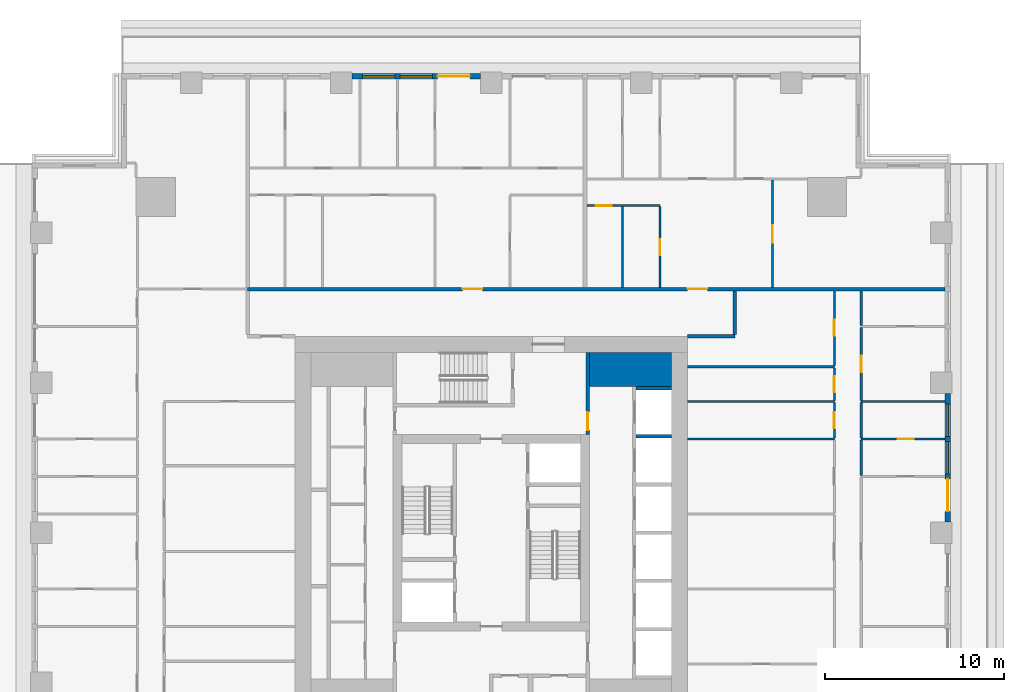
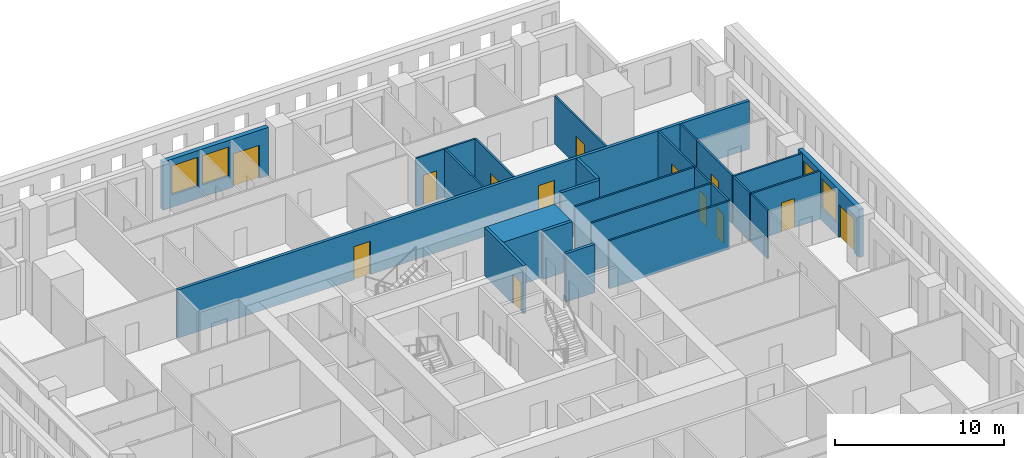
# One storey, part 9 of 16: 25 walls, 13 doors, 4 windows, 17 openings.
"""IFC4 building model written with IfcOpenShell, lengths in metres."""

from ifc_helpers import new_model, si_unit, direction, frame, frame_2d, origin, place, context, subcontext, project, spatial, rectangle, extrude, material, layer, layer_set, type_object, element, fill, save


model = new_model("IFC4")

# Units and contexts
model_context = context("Model", 3, precision=1e-05, world=origin(), true_north=direction((0.0, 1.0)))
body_context = subcontext(model_context, "Body", "Model", "MODEL_VIEW")
ifc_project = project(units=[si_unit("LENGTHUNIT", "METRE"), si_unit("AREAUNIT", "SQUARE_METRE"), si_unit("VOLUMEUNIT", "CUBIC_METRE"), si_unit("PLANEANGLEUNIT", "RADIAN"), si_unit("MASSUNIT", "GRAM", prefix="KILO")], contexts=[model_context])

# Site, building, storey
site_placement = place(None, origin())
site = spatial("IfcSite", under=ifc_project, at=site_placement, CompositionType="ELEMENT")
building_placement = place(site_placement, origin())
building = spatial("IfcBuilding", under=site, at=building_placement, Name="Khepri Terraces", CompositionType="ELEMENT")
storey_placement = place(building_placement, frame((0.0, 0.0, 240.60009765625)))
storey = spatial("IfcBuildingStorey", under=building, at=storey_placement, Name="L57", CompositionType="ELEMENT", Elevation=240.60009765625)

# Walls
ifc_material_1 = material(Name="Concrete C40/50", Category="concrete")
ifc_layer_1 = layer(ifc_material_1, 1.89990234375, Name="Concrete C40/50", Category="concrete")
ifc_layer_set_1 = layer_set([ifc_layer_1], Name="Concrete C40/50")
wall_type_1 = type_object("IfcWallType", Name="Core wall 1900 C40/50", PredefinedType="SHEAR", material=ifc_layer_set_1)
wall_1_placement = place(storey_placement, frame((5.5, 9.14990234375, 0.0), z_axis=(0.0, 0.0, 1.0), x_axis=(1.0, 0.0, 0.0)))
element("IfcWall", 1, at=wall_1_placement, inside=storey, type_object=wall_type_1, Name="Core wall PR04 L57", PredefinedType="SHEAR", context=body_context, shape_type="SweptSolid", body=[
    extrude(rectangle(XDim=4.60009765625, YDim=1.89990234375, at=frame_2d((2.300048828125, 0.0))), origin(), (0.0, 0.0, 1.0), 3.47998046875),
])
ifc_layer_2 = layer(ifc_material_1, 0.199951171875, Name="Concrete C40/50", Category="concrete")
ifc_layer_set_2 = layer_set([ifc_layer_2], Name="Concrete C40/50")
wall_type_2 = type_object("IfcWallType", Name="Core wall 200 C40/50", PredefinedType="SHEAR", material=ifc_layer_set_2)
for number, where, z_axis, x_axis, name in (
    (2, (8.10009765625, 5.39990234375, 0.0), (0.0, 0.0, 1.0), (1.0, 0.0, 0.0), "Core wall SH14 L57"),
    (3, (8.10009765625, 8.10009765625, 0.0), (0.0, 0.0, 1.0), (1.0, 0.0, 0.0), "Core wall SH15 L57"),
):
    element("IfcWall", number, at=place(storey_placement, frame(where, z_axis=z_axis, x_axis=x_axis)), inside=storey, type_object=wall_type_2, Name=name, PredefinedType="SHEAR", context=body_context, shape_type="SweptSolid", body=[
        extrude(rectangle(XDim=2.0, YDim=0.199951171875, at=frame_2d((1.0, 0.0))), origin(), (0.0, 0.0, 1.0), 3.47998046875),
    ])

# Wall, opening, door
ifc_material_2 = material(Name="Fire-rated gypsum board partition")
ifc_layer_3 = layer(ifc_material_2, 0.199951171875, Name="Fire-rated gypsum board partition")
ifc_layer_set_3 = layer_set([ifc_layer_3], Name="Fire-rated gypsum board partition")
wall_type_3 = type_object("IfcWallType", Name="WL-CORE-PART-200", PredefinedType="PARTITIONING", material=ifc_layer_set_3)
wall_2_placement = place(storey_placement, frame((5.39990234375, 5.5, 0.0), z_axis=(0.0, 0.0, 1.0), x_axis=(0.0, 1.0, 0.0)))
wall_2 = element("IfcWall", 4, at=wall_2_placement, inside=storey, type_object=wall_type_3, Name="Core partition PT13 L57", PredefinedType="PARTITIONING", context=body_context, shape_type="SweptSolid", body=[
    extrude(rectangle(XDim=4.60009765625, YDim=0.199951171875, at=frame_2d((2.300048828125, 0.0))), origin(), (0.0, 0.0, 1.0), 3.47998046875),
])
opening_1_placement = place(wall_2_placement, frame((0.25, 0.0, 0.0)))
opening_1 = element("IfcOpeningElement", 5, at=opening_1_placement, cuts=wall_2, Name="Opening L57-C17", PredefinedType="OPENING", context=body_context, shape_type="SweptSolid", body=[
    extrude(rectangle(XDim=1.0, YDim=2.10009765625, at=frame_2d((0.5, 1.050048828125))), frame((0.0, 0.10986328125, 0.0), z_axis=(0.0, -1.0, 0.0), x_axis=(1.0, 0.0, 0.0)), (0.0, 0.0, 1.0), 0.219970703125),
])
ifc_material_3 = material(Name="Painted steel", Category="steel")
door_type_1 = type_object("IfcDoorType", Name="DR-CORE-LOBBY-1000", OperationType="NOTDEFINED", PredefinedType="DOOR", material=ifc_material_3)
door_1_placement = place(opening_1_placement, origin())
door_1 = element("IfcDoor", 6, at=door_1_placement, inside=storey, type_object=door_type_1, Name="Lobby door L57-C17", OperationType="SINGLE_SWING_LEFT", OverallHeight=2.10009765625, OverallWidth=1.0, PredefinedType="DOOR", context=body_context, shape_type="SweptSolid", body=[
    extrude(rectangle(XDim=1.0, YDim=2.10009765625, at=frame_2d((0.5, 1.050048828125))), frame((0.0, 0.02490234375, 0.0), z_axis=(0.0, -1.0, 0.0), x_axis=(1.0, 0.0, 0.0)), (0.0, 0.0, 1.0), 0.050048828125),
])
fill(opening_1, door_1)

# Walls
ifc_material_4 = material(Name="Fire-rated gypsum plasterboard partition, mineral wool")
ifc_layer_4 = layer(ifc_material_4, 0.199951171875, Name="Fire-rated gypsum plasterboard partition, mineral wool")
ifc_layer_set_4 = layer_set([ifc_layer_4], Name="Fire-rated gypsum plasterboard partition, mineral wool")
wall_type_4 = type_object("IfcWallType", Name="WL-CORR-200", PredefinedType="PARTITIONING", material=ifc_layer_set_4)
wall_3_placement = place(storey_placement, frame((11.0, 11.0, 0.0), z_axis=(0.0, 0.0, 1.0), x_axis=(1.0, 0.0, 0.0)))
element("IfcWall", 7, at=wall_3_placement, inside=storey, type_object=wall_type_4, Name="Partition P-075 L57", PredefinedType="PARTITIONING", context=body_context, shape_type="SweptSolid", body=[
    extrude(rectangle(XDim=2.64990234375, YDim=0.199951171875, at=frame_2d((1.324951171875, 0.0))), origin(), (0.0, 0.0, 1.0), 3.47998046875),
])
wall_4_placement = place(storey_placement, frame((13.64990234375, 11.10009765625, 0.0), z_axis=(0.0, 0.0, 1.0), x_axis=(0.0, 1.0, 0.0)))
element("IfcWall", 8, at=wall_4_placement, inside=storey, type_object=wall_type_4, Name="Partition P-077 L57", PredefinedType="PARTITIONING", context=body_context, shape_type="SweptSolid", body=[
    extrude(rectangle(XDim=2.449951171875, YDim=0.199951171875, at=frame_2d((1.22509765625, 0.0))), origin(), (0.0, 0.0, 1.0), 3.47998046875),
])

# Wall, openings, doors
wall_5_placement = place(storey_placement, frame((-13.64990234375, 13.64990234375, 0.0), z_axis=(0.0, 0.0, 1.0), x_axis=(1.0, 0.0, 0.0)))
wall_5 = element("IfcWall", 9, at=wall_5_placement, inside=storey, type_object=wall_type_4, Name="Partition P-083 L57", PredefinedType="PARTITIONING", context=body_context, shape_type="SweptSolid", body=[
    extrude(rectangle(XDim=39.06982421875, YDim=0.199951171875, at=frame_2d((19.534912109375, 0.0))), origin(), (0.0, 0.0, 1.0), 3.47998046875),
])
opening_2_placement = place(wall_5_placement, frame((24.64990234375, 0.0, 0.0)))
opening_2 = element("IfcOpeningElement", 10, at=opening_2_placement, cuts=wall_5, Name="Opening D1", PredefinedType="OPENING", context=body_context, shape_type="SweptSolid", body=[
    extrude(rectangle(XDim=1.10009765625, YDim=2.39990234375, at=frame_2d((0.550048828125, 1.199951171875))), frame((0.0, 0.10986328125, 0.0), z_axis=(0.0, -1.0, 0.0), x_axis=(1.0, 0.0, 0.0)), (0.0, 0.0, 1.0), 0.219970703125),
])
opening_3_placement = place(wall_5_placement, frame((12.050048828125, 0.0, 0.0)))
opening_3 = element("IfcOpeningElement", 11, at=opening_3_placement, cuts=wall_5, Name="Opening D1", PredefinedType="OPENING", context=body_context, shape_type="SweptSolid", body=[
    extrude(rectangle(XDim=1.10009765625, YDim=2.39990234375, at=frame_2d((0.550048828125, 1.199951171875))), frame((0.0, 0.10986328125, 0.0), z_axis=(0.0, -1.0, 0.0), x_axis=(1.0, 0.0, 0.0)), (0.0, 0.0, 1.0), 0.219970703125),
])
ifc_material_5 = material(Name="Solid-core timber door leaf, flat entrance door", Category="wood")
door_type_2 = type_object("IfcDoorType", Name="DR-ENT-1100", OperationType="NOTDEFINED", PredefinedType="DOOR", material=ifc_material_5)
door_2_placement = place(opening_2_placement, origin())
door_2 = element("IfcDoor", 12, at=door_2_placement, inside=storey, type_object=door_type_2, Name="Flat C1 entrance door", OperationType="SINGLE_SWING_RIGHT", OverallHeight=2.39990234375, OverallWidth=1.10009765625, PredefinedType="DOOR", context=body_context, shape_type="SweptSolid", body=[
    extrude(rectangle(XDim=1.10009765625, YDim=2.39990234375, at=frame_2d((0.550048828125, 1.199951171875))), frame((0.0, 0.02490234375, 0.0), z_axis=(0.0, -1.0, 0.0), x_axis=(1.0, 0.0, 0.0)), (0.0, 0.0, 1.0), 0.050048828125),
])
fill(opening_2, door_2)
door_3_placement = place(opening_3_placement, origin())
door_3 = element("IfcDoor", 13, at=door_3_placement, inside=storey, type_object=door_type_2, Name="Flat C2 entrance door", OperationType="SINGLE_SWING_LEFT", OverallHeight=2.39990234375, OverallWidth=1.10009765625, PredefinedType="DOOR", context=body_context, shape_type="SweptSolid", body=[
    extrude(rectangle(XDim=1.10009765625, YDim=2.39990234375, at=frame_2d((0.550048828125, 1.199951171875))), frame((0.0, 0.02490234375, 0.0), z_axis=(0.0, -1.0, 0.0), x_axis=(1.0, 0.0, 0.0)), (0.0, 0.0, 1.0), 0.050048828125),
])
fill(opening_3, door_3)

# Wall, openings, door, windows
ifc_material_6 = material(Name="Precast concrete C50/60 warm stone", Category="masonry")
ifc_layer_5 = layer(ifc_material_6, 0.300048828125, Name="Precast concrete C50/60 warm stone", Category="masonry")
ifc_layer_set_5 = layer_set([ifc_layer_5], Name="Precast concrete C50/60 warm stone")
wall_type_5 = type_object("IfcWallType", Name="WL-EXT-PRECAST-300", PredefinedType="STANDARD", material=ifc_layer_set_5)
wall_6_placement = place(storey_placement, frame((25.570068359375, 0.60009765625, 0.0), z_axis=(0.0, 0.0, 1.0), x_axis=(0.0, 1.0, 0.0)))
wall_6 = element("IfcWall", 14, at=wall_6_placement, inside=storey, type_object=wall_type_5, Name="External wall L57 E", PredefinedType="STANDARD", context=body_context, shape_type="SweptSolid", body=[
    extrude(rectangle(XDim=7.199951171875, YDim=0.300048828125, at=frame_2d((3.60009765625, 0.0))), origin(), (0.0, 0.0, 1.0), 3.47998046875),
])
opening_4_placement = place(wall_6_placement, frame((0.60009765625, 0.0, 0.0)))
opening_4 = element("IfcOpeningElement", 15, at=opening_4_placement, cuts=wall_6, Name="Opening ED-L57-06", PredefinedType="OPENING", context=body_context, shape_type="SweptSolid", body=[
    extrude(rectangle(XDim=1.800048828125, YDim=2.39990234375, at=frame_2d((0.89990234375, 1.199951171875))), frame((0.0, 0.16015625, 0.0), z_axis=(0.0, -1.0, 0.0), x_axis=(1.0, 0.0, 0.0)), (0.0, 0.0, 1.0), 0.320068359375),
])
opening_5_placement = place(wall_6_placement, frame((2.699951171875, 0.0, 0.89990234375)))
opening_5 = element("IfcOpeningElement", 16, at=opening_5_placement, cuts=wall_6, Name="Opening W1", PredefinedType="OPENING", context=body_context, shape_type="SweptSolid", body=[
    extrude(rectangle(XDim=1.800048828125, YDim=2.10009765625, at=frame_2d((0.89990234375, 1.050048828125))), frame((0.0, 0.16015625, 0.0), z_axis=(0.0, -1.0, 0.0), x_axis=(1.0, 0.0, 0.0)), (0.0, 0.0, 1.0), 0.320068359375),
])
opening_6_placement = place(wall_6_placement, frame((4.800048828125, 0.0, 0.89990234375)))
opening_6 = element("IfcOpeningElement", 17, at=opening_6_placement, cuts=wall_6, Name="Opening W1", PredefinedType="OPENING", context=body_context, shape_type="SweptSolid", body=[
    extrude(rectangle(XDim=1.800048828125, YDim=2.10009765625, at=frame_2d((0.89990234375, 1.050048828125))), frame((0.0, 0.16015625, 0.0), z_axis=(0.0, -1.0, 0.0), x_axis=(1.0, 0.0, 0.0)), (0.0, 0.0, 1.0), 0.320068359375),
])
ifc_material_7 = material(Name="Anodised aluminium bronze glazed door", Category="aluminium")
door_type_3 = type_object("IfcDoorType", Name="DR-BAL-SLIDE-1800x2400", OperationType="NOTDEFINED", PredefinedType="DOOR", material=ifc_material_7)
door_4_placement = place(opening_4_placement, origin())
door_4 = element("IfcDoor", 18, at=door_4_placement, inside=storey, type_object=door_type_3, Name="Balcony door L57 E", OperationType="SLIDING_TO_LEFT", OverallHeight=2.39990234375, OverallWidth=1.800048828125, PredefinedType="DOOR", context=body_context, shape_type="SweptSolid", body=[
    extrude(rectangle(XDim=1.800048828125, YDim=2.39990234375, at=frame_2d((0.89990234375, 1.199951171875))), frame((0.0, 0.02490234375, 0.0), z_axis=(0.0, -1.0, 0.0), x_axis=(1.0, 0.0, 0.0)), (0.0, 0.0, 1.0), 0.050048828125),
])
fill(opening_4, door_4)
ifc_material_8 = material(Name="Clear glass", Category="glass")
window_type = type_object("IfcWindowType", Name="WIN-RES-1800x2100", PartitioningType="SINGLE_PANEL", PredefinedType="WINDOW", material=ifc_material_8)
window_1_placement = place(opening_5_placement, origin())
window_1 = element("IfcWindow", 19, at=window_1_placement, inside=storey, type_object=window_type, Name="Window L57 E", OverallHeight=2.10009765625, OverallWidth=1.800048828125, PartitioningType="SINGLE_PANEL", PredefinedType="WINDOW", context=body_context, shape_type="SweptSolid", body=[
    extrude(rectangle(XDim=1.800048828125, YDim=2.10009765625, at=frame_2d((0.89990234375, 1.050048828125))), frame((0.0, 0.030029296875, 0.0), z_axis=(0.0, -1.0, 0.0), x_axis=(1.0, 0.0, 0.0)), (0.0, 0.0, 1.0), 0.06005859375),
])
fill(opening_5, window_1)
window_2_placement = place(opening_6_placement, origin())
window_2 = element("IfcWindow", 20, at=window_2_placement, inside=storey, type_object=window_type, Name="Window L57 E", OverallHeight=2.10009765625, OverallWidth=1.800048828125, PartitioningType="SINGLE_PANEL", PredefinedType="WINDOW", context=body_context, shape_type="SweptSolid", body=[
    extrude(rectangle(XDim=1.800048828125, YDim=2.10009765625, at=frame_2d((0.89990234375, 1.050048828125))), frame((0.0, 0.030029296875, 0.0), z_axis=(0.0, -1.0, 0.0), x_axis=(1.0, 0.0, 0.0)), (0.0, 0.0, 1.0), 0.06005859375),
])
fill(opening_6, window_2)

wall_7_placement = place(storey_placement, frame((-0.60009765625, 25.570068359375, 0.0), z_axis=(0.0, 0.0, 1.0), x_axis=(-1.0, 0.0, 0.0)))
wall_7 = element("IfcWall", 21, at=wall_7_placement, inside=storey, type_object=wall_type_5, Name="External wall L57 N", PredefinedType="STANDARD", context=body_context, shape_type="SweptSolid", body=[
    extrude(rectangle(XDim=7.199951171875, YDim=0.300048828125, at=frame_2d((3.60009765625, 0.0))), origin(), (0.0, 0.0, 1.0), 3.47998046875),
])
opening_7_placement = place(wall_7_placement, frame((0.60009765625, 0.0, 0.0)))
opening_7 = element("IfcOpeningElement", 22, at=opening_7_placement, cuts=wall_7, Name="Opening ED-L57-11", PredefinedType="OPENING", context=body_context, shape_type="SweptSolid", body=[
    extrude(rectangle(XDim=1.800048828125, YDim=2.39990234375, at=frame_2d((0.89990234375, 1.199951171875))), frame((0.0, 0.16015625, 0.0), z_axis=(0.0, -1.0, 0.0), x_axis=(1.0, 0.0, 0.0)), (0.0, 0.0, 1.0), 0.320068359375),
])
opening_8_placement = place(wall_7_placement, frame((2.699951171875, 0.0, 0.89990234375)))
opening_8 = element("IfcOpeningElement", 23, at=opening_8_placement, cuts=wall_7, Name="Opening W1", PredefinedType="OPENING", context=body_context, shape_type="SweptSolid", body=[
    extrude(rectangle(XDim=1.800048828125, YDim=2.10009765625, at=frame_2d((0.89990234375, 1.050048828125))), frame((0.0, 0.16015625, 0.0), z_axis=(0.0, -1.0, 0.0), x_axis=(1.0, 0.0, 0.0)), (0.0, 0.0, 1.0), 0.320068359375),
])
opening_9_placement = place(wall_7_placement, frame((4.800048828125, 0.0, 0.89990234375)))
opening_9 = element("IfcOpeningElement", 24, at=opening_9_placement, cuts=wall_7, Name="Opening W1", PredefinedType="OPENING", context=body_context, shape_type="SweptSolid", body=[
    extrude(rectangle(XDim=1.800048828125, YDim=2.10009765625, at=frame_2d((0.89990234375, 1.050048828125))), frame((0.0, 0.16015625, 0.0), z_axis=(0.0, -1.0, 0.0), x_axis=(1.0, 0.0, 0.0)), (0.0, 0.0, 1.0), 0.320068359375),
])
door_5_placement = place(opening_7_placement, origin())
door_5 = element("IfcDoor", 25, at=door_5_placement, inside=storey, type_object=door_type_3, Name="Balcony door L57 N", OperationType="SLIDING_TO_LEFT", OverallHeight=2.39990234375, OverallWidth=1.800048828125, PredefinedType="DOOR", context=body_context, shape_type="SweptSolid", body=[
    extrude(rectangle(XDim=1.800048828125, YDim=2.39990234375, at=frame_2d((0.89990234375, 1.199951171875))), frame((0.0, 0.02490234375, 0.0), z_axis=(0.0, -1.0, 0.0), x_axis=(1.0, 0.0, 0.0)), (0.0, 0.0, 1.0), 0.050048828125),
])
fill(opening_7, door_5)
window_3_placement = place(opening_8_placement, origin())
window_3 = element("IfcWindow", 26, at=window_3_placement, inside=storey, type_object=window_type, Name="Window L57 N", OverallHeight=2.10009765625, OverallWidth=1.800048828125, PartitioningType="SINGLE_PANEL", PredefinedType="WINDOW", context=body_context, shape_type="SweptSolid", body=[
    extrude(rectangle(XDim=1.800048828125, YDim=2.10009765625, at=frame_2d((0.89990234375, 1.050048828125))), frame((0.0, 0.030029296875, 0.0), z_axis=(0.0, -1.0, 0.0), x_axis=(1.0, 0.0, 0.0)), (0.0, 0.0, 1.0), 0.06005859375),
])
fill(opening_8, window_3)
window_4_placement = place(opening_9_placement, origin())
window_4 = element("IfcWindow", 27, at=window_4_placement, inside=storey, type_object=window_type, Name="Window L57 N", OverallHeight=2.10009765625, OverallWidth=1.800048828125, PartitioningType="SINGLE_PANEL", PredefinedType="WINDOW", context=body_context, shape_type="SweptSolid", body=[
    extrude(rectangle(XDim=1.800048828125, YDim=2.10009765625, at=frame_2d((0.89990234375, 1.050048828125))), frame((0.0, 0.030029296875, 0.0), z_axis=(0.0, -1.0, 0.0), x_axis=(1.0, 0.0, 0.0)), (0.0, 0.0, 1.0), 0.06005859375),
])
fill(opening_9, window_4)

# Walls
ifc_material_9 = material(Name="Gypsum plasterboard partition")
ifc_layer_6 = layer(ifc_material_9, 0.1201171875, Name="Gypsum plasterboard partition")
ifc_layer_set_6 = layer_set([ifc_layer_6], Name="Gypsum plasterboard partition")
wall_type_6 = type_object("IfcWallType", Name="WL-PART-120", PredefinedType="PARTITIONING", material=ifc_layer_set_6)
wall_8_placement = place(storey_placement, frame((20.719970703125, 3.2099609375, 0.0), z_axis=(0.0, 0.0, 1.0), x_axis=(0.0, 1.0, 0.0)))
element("IfcWall", 28, at=wall_8_placement, inside=storey, type_object=wall_type_6, Name="Partition P-058 L57", PredefinedType="PARTITIONING", context=body_context, shape_type="SweptSolid", body=[
    extrude(rectangle(XDim=1.97998046875, YDim=0.1201171875, at=frame_2d((0.989990234375, 0.0))), origin(), (0.0, 0.0, 1.0), 3.47998046875),
])
wall_9_placement = place(storey_placement, frame((11.0, 5.25, 0.0), z_axis=(0.0, 0.0, 1.0), x_axis=(1.0, 0.0, 0.0)))
element("IfcWall", 29, at=wall_9_placement, inside=storey, type_object=wall_type_6, Name="Partition P-062 L57", PredefinedType="PARTITIONING", context=body_context, shape_type="SweptSolid", body=[
    extrude(rectangle(XDim=8.219970703125, YDim=0.1201171875, at=frame_2d((4.10986328125, 0.0))), origin(), (0.0, 0.0, 1.0), 3.47998046875),
])

# Wall, opening, door
wall_10_placement = place(storey_placement, frame((20.719970703125, 5.25, 0.0), z_axis=(0.0, 0.0, 1.0), x_axis=(1.0, 0.0, 0.0)))
wall_10 = element("IfcWall", 30, at=wall_10_placement, inside=storey, type_object=wall_type_6, Name="Partition P-063 L57", PredefinedType="PARTITIONING", context=body_context, shape_type="SweptSolid", body=[
    extrude(rectangle(XDim=4.699951171875, YDim=0.1201171875, at=frame_2d((2.35009765625, 0.0))), origin(), (0.0, 0.0, 1.0), 3.47998046875),
])
opening_10_placement = place(wall_10_placement, frame((2.050048828125, 0.0, 0.0)))
opening_10 = element("IfcOpeningElement", 31, at=opening_10_placement, cuts=wall_10, Name="Opening D4", PredefinedType="OPENING", context=body_context, shape_type="SweptSolid", body=[
    extrude(rectangle(XDim=0.89990234375, YDim=2.10009765625, at=frame_2d((0.449951171875, 1.050048828125))), frame((0.0, 0.070068359375, 0.0), z_axis=(0.0, -1.0, 0.0), x_axis=(1.0, 0.0, 0.0)), (0.0, 0.0, 1.0), 0.14013671875),
])
ifc_material_10 = material(Name="Timber door leaf, moisture resistant", Category="wood")
door_type_4 = type_object("IfcDoorType", Name="DR-WET-900", OperationType="NOTDEFINED", PredefinedType="DOOR", material=ifc_material_10)
door_6_placement = place(opening_10_placement, origin())
door_6 = element("IfcDoor", 32, at=door_6_placement, inside=storey, type_object=door_type_4, Name="Door Bathroom", OperationType="SINGLE_SWING_RIGHT", OverallHeight=2.10009765625, OverallWidth=0.89990234375, PredefinedType="DOOR", context=body_context, shape_type="SweptSolid", body=[
    extrude(rectangle(XDim=0.89990234375, YDim=2.10009765625, at=frame_2d((0.449951171875, 1.050048828125))), frame((0.0, 0.02490234375, 0.0), z_axis=(0.0, -1.0, 0.0), x_axis=(1.0, 0.0, 0.0)), (0.0, 0.0, 1.0), 0.050048828125),
])
fill(opening_10, door_6)

wall_11_placement = place(storey_placement, frame((19.219970703125, 5.31005859375, 0.0), z_axis=(0.0, 0.0, 1.0), x_axis=(0.0, 1.0, 0.0)))
wall_11 = element("IfcWall", 33, at=wall_11_placement, inside=storey, type_object=wall_type_6, Name="Partition P-065 L57", PredefinedType="PARTITIONING", context=body_context, shape_type="SweptSolid", body=[
    extrude(rectangle(XDim=1.97998046875, YDim=0.1201171875, at=frame_2d((0.989990234375, 0.0))), origin(), (0.0, 0.0, 1.0), 3.47998046875),
])
opening_11_placement = place(wall_11_placement, frame((0.5400390625, 0.0, 0.0)))
opening_11 = element("IfcOpeningElement", 34, at=opening_11_placement, cuts=wall_11, Name="Opening D4", PredefinedType="OPENING", context=body_context, shape_type="SweptSolid", body=[
    extrude(rectangle(XDim=0.89990234375, YDim=2.10009765625, at=frame_2d((0.449951171875, 1.050048828125))), frame((0.0, 0.070068359375, 0.0), z_axis=(0.0, -1.0, 0.0), x_axis=(1.0, 0.0, 0.0)), (0.0, 0.0, 1.0), 0.14013671875),
])
door_7_placement = place(opening_11_placement, origin())
door_7 = element("IfcDoor", 35, at=door_7_placement, inside=storey, type_object=door_type_4, Name="Door Powder Room", OperationType="SINGLE_SWING_RIGHT", OverallHeight=2.10009765625, OverallWidth=0.89990234375, PredefinedType="DOOR", context=body_context, shape_type="SweptSolid", body=[
    extrude(rectangle(XDim=0.89990234375, YDim=2.10009765625, at=frame_2d((0.449951171875, 1.050048828125))), frame((0.0, 0.02490234375, 0.0), z_axis=(0.0, -1.0, 0.0), x_axis=(1.0, 0.0, 0.0)), (0.0, 0.0, 1.0), 0.050048828125),
])
fill(opening_11, door_7)

# Walls
wall_12_placement = place(storey_placement, frame((20.719970703125, 5.31005859375, 0.0), z_axis=(0.0, 0.0, 1.0), x_axis=(0.0, 1.0, 0.0)))
element("IfcWall", 36, at=wall_12_placement, inside=storey, type_object=wall_type_6, Name="Partition P-066 L57", PredefinedType="PARTITIONING", context=body_context, shape_type="SweptSolid", body=[
    extrude(rectangle(XDim=1.97998046875, YDim=0.1201171875, at=frame_2d((0.989990234375, 0.0))), origin(), (0.0, 0.0, 1.0), 3.47998046875),
])
wall_13_placement = place(storey_placement, frame((11.0, 7.35009765625, 0.0), z_axis=(0.0, 0.0, 1.0), x_axis=(1.0, 0.0, 0.0)))
element("IfcWall", 37, at=wall_13_placement, inside=storey, type_object=wall_type_6, Name="Partition P-068 L57", PredefinedType="PARTITIONING", context=body_context, shape_type="SweptSolid", body=[
    extrude(rectangle(XDim=8.219970703125, YDim=0.1201171875, at=frame_2d((4.10986328125, 0.0))), origin(), (0.0, 0.0, 1.0), 3.47998046875),
])
wall_14_placement = place(storey_placement, frame((20.719970703125, 7.35009765625, 0.0), z_axis=(0.0, 0.0, 1.0), x_axis=(1.0, 0.0, 0.0)))
element("IfcWall", 38, at=wall_14_placement, inside=storey, type_object=wall_type_6, Name="Partition P-069 L57", PredefinedType="PARTITIONING", context=body_context, shape_type="SweptSolid", body=[
    extrude(rectangle(XDim=4.699951171875, YDim=0.1201171875, at=frame_2d((2.35009765625, 0.0))), origin(), (0.0, 0.0, 1.0), 3.47998046875),
])

# Wall, opening, door
wall_15_placement = place(storey_placement, frame((19.219970703125, 7.409912109375, 0.0), z_axis=(0.0, 0.0, 1.0), x_axis=(0.0, 1.0, 0.0)))
wall_15 = element("IfcWall", 39, at=wall_15_placement, inside=storey, type_object=wall_type_6, Name="Partition P-070 L57", PredefinedType="PARTITIONING", context=body_context, shape_type="SweptSolid", body=[
    extrude(rectangle(XDim=1.830078125, YDim=0.1201171875, at=frame_2d((0.9150390625, 0.0))), origin(), (0.0, 0.0, 1.0), 3.47998046875),
])
opening_12_placement = place(wall_15_placement, frame((0.465087890625, 0.0, 0.0)))
opening_12 = element("IfcOpeningElement", 40, at=opening_12_placement, cuts=wall_15, Name="Opening D4", PredefinedType="OPENING", context=body_context, shape_type="SweptSolid", body=[
    extrude(rectangle(XDim=0.89990234375, YDim=2.10009765625, at=frame_2d((0.449951171875, 1.050048828125))), frame((0.0, 0.070068359375, 0.0), z_axis=(0.0, -1.0, 0.0), x_axis=(1.0, 0.0, 0.0)), (0.0, 0.0, 1.0), 0.14013671875),
])
door_8_placement = place(opening_12_placement, origin())
door_8 = element("IfcDoor", 41, at=door_8_placement, inside=storey, type_object=door_type_4, Name="Door Guest Bathroom", OperationType="SINGLE_SWING_LEFT", OverallHeight=2.10009765625, OverallWidth=0.89990234375, PredefinedType="DOOR", context=body_context, shape_type="SweptSolid", body=[
    extrude(rectangle(XDim=0.89990234375, YDim=2.10009765625, at=frame_2d((0.449951171875, 1.050048828125))), frame((0.0, 0.02490234375, 0.0), z_axis=(0.0, -1.0, 0.0), x_axis=(1.0, 0.0, 0.0)), (0.0, 0.0, 1.0), 0.050048828125),
])
fill(opening_12, door_8)

wall_16_placement = place(storey_placement, frame((20.719970703125, 7.409912109375, 0.0), z_axis=(0.0, 0.0, 1.0), x_axis=(0.0, 1.0, 0.0)))
wall_16 = element("IfcWall", 42, at=wall_16_placement, inside=storey, type_object=wall_type_6, Name="Partition P-071 L57", PredefinedType="PARTITIONING", context=body_context, shape_type="SweptSolid", body=[
    extrude(rectangle(XDim=4.080078125, YDim=0.1201171875, at=frame_2d((2.0400390625, 0.0))), origin(), (0.0, 0.0, 1.0), 3.47998046875),
])
opening_13_placement = place(wall_16_placement, frame((1.590087890625, 0.0, 0.0)))
opening_13 = element("IfcOpeningElement", 43, at=opening_13_placement, cuts=wall_16, Name="Opening D3", PredefinedType="OPENING", context=body_context, shape_type="SweptSolid", body=[
    extrude(rectangle(XDim=0.89990234375, YDim=2.10009765625, at=frame_2d((0.449951171875, 1.050048828125))), frame((0.0, 0.070068359375, 0.0), z_axis=(0.0, -1.0, 0.0), x_axis=(1.0, 0.0, 0.0)), (0.0, 0.0, 1.0), 0.14013671875),
])
ifc_material_11 = material(Name="Timber door leaf", Category="wood")
door_type_5 = type_object("IfcDoorType", Name="DR-INT-900", OperationType="NOTDEFINED", PredefinedType="DOOR", material=ifc_material_11)
door_9_placement = place(opening_13_placement, frame((0.89990234375, 0.0, 0.0), z_axis=(0.0, 0.0, 1.0), x_axis=(-1.0, 0.0, 0.0)))
door_9 = element("IfcDoor", 44, at=door_9_placement, inside=storey, type_object=door_type_5, Name="Door Bedroom", OperationType="SINGLE_SWING_RIGHT", OverallHeight=2.10009765625, OverallWidth=0.89990234375, PredefinedType="DOOR", context=body_context, shape_type="SweptSolid", body=[
    extrude(rectangle(XDim=0.89990234375, YDim=2.10009765625, at=frame_2d((0.449951171875, 1.050048828125))), frame((0.0, 0.02490234375, 0.0), z_axis=(0.0, -1.0, 0.0), x_axis=(1.0, 0.0, 0.0)), (0.0, 0.0, 1.0), 0.050048828125),
])
fill(opening_13, door_9)

# Wall
wall_17_placement = place(storey_placement, frame((11.0, 9.300048828125, 0.0), z_axis=(0.0, 0.0, 1.0), x_axis=(1.0, 0.0, 0.0)))
element("IfcWall", 45, at=wall_17_placement, inside=storey, type_object=wall_type_6, Name="Partition P-072 L57", PredefinedType="PARTITIONING", context=body_context, shape_type="SweptSolid", body=[
    extrude(rectangle(XDim=8.219970703125, YDim=0.1201171875, at=frame_2d((4.10986328125, 0.0))), origin(), (0.0, 0.0, 1.0), 3.47998046875),
])

# Wall, opening, door
wall_18_placement = place(storey_placement, frame((19.219970703125, 9.360107421875, 0.0), z_axis=(0.0, 0.0, 1.0), x_axis=(0.0, 1.0, 0.0)))
wall_18 = element("IfcWall", 46, at=wall_18_placement, inside=storey, type_object=wall_type_6, Name="Partition P-073 L57", PredefinedType="PARTITIONING", context=body_context, shape_type="SweptSolid", body=[
    extrude(rectangle(XDim=4.18994140625, YDim=0.1201171875, at=frame_2d((2.094970703125, 0.0))), origin(), (0.0, 0.0, 1.0), 3.47998046875),
])
opening_14_placement = place(wall_18_placement, frame((1.6650390625, 0.0, 0.0)))
opening_14 = element("IfcOpeningElement", 47, at=opening_14_placement, cuts=wall_18, Name="Opening D3", PredefinedType="OPENING", context=body_context, shape_type="SweptSolid", body=[
    extrude(rectangle(XDim=0.89990234375, YDim=2.10009765625, at=frame_2d((0.449951171875, 1.050048828125))), frame((0.0, 0.070068359375, 0.0), z_axis=(0.0, -1.0, 0.0), x_axis=(1.0, 0.0, 0.0)), (0.0, 0.0, 1.0), 0.14013671875),
])
door_10_placement = place(opening_14_placement, origin())
door_10 = element("IfcDoor", 48, at=door_10_placement, inside=storey, type_object=door_type_5, Name="Door Library", OperationType="SINGLE_SWING_RIGHT", OverallHeight=2.10009765625, OverallWidth=0.89990234375, PredefinedType="DOOR", context=body_context, shape_type="SweptSolid", body=[
    extrude(rectangle(XDim=0.89990234375, YDim=2.10009765625, at=frame_2d((0.449951171875, 1.050048828125))), frame((0.0, 0.02490234375, 0.0), z_axis=(0.0, -1.0, 0.0), x_axis=(1.0, 0.0, 0.0)), (0.0, 0.0, 1.0), 0.050048828125),
])
fill(opening_14, door_10)

# Walls
wall_19_placement = place(storey_placement, frame((20.719970703125, 11.610107421875, 0.0), z_axis=(0.0, 0.0, 1.0), x_axis=(0.0, 1.0, 0.0)))
element("IfcWall", 49, at=wall_19_placement, inside=storey, type_object=wall_type_6, Name="Partition P-081 L57", PredefinedType="PARTITIONING", context=body_context, shape_type="SweptSolid", body=[
    extrude(rectangle(XDim=1.93994140625, YDim=0.1201171875, at=frame_2d((0.969970703125, 0.0))), origin(), (0.0, 0.0, 1.0), 3.47998046875),
])
wall_20_placement = place(storey_placement, frame((7.35009765625, 13.75, 0.0), z_axis=(0.0, 0.0, 1.0), x_axis=(0.0, 1.0, 0.0)))
element("IfcWall", 50, at=wall_20_placement, inside=storey, type_object=wall_type_6, Name="Partition P-091 L57", PredefinedType="PARTITIONING", context=body_context, shape_type="SweptSolid", body=[
    extrude(rectangle(XDim=4.510009765625, YDim=0.1201171875, at=frame_2d((2.2548828125, 0.0))), origin(), (0.0, 0.0, 1.0), 3.47998046875),
])

# Wall, opening, door
wall_21_placement = place(storey_placement, frame((9.449951171875, 13.75, 0.0), z_axis=(0.0, 0.0, 1.0), x_axis=(0.0, 1.0, 0.0)))
wall_21 = element("IfcWall", 51, at=wall_21_placement, inside=storey, type_object=wall_type_6, Name="Partition P-092 L57", PredefinedType="PARTITIONING", context=body_context, shape_type="SweptSolid", body=[
    extrude(rectangle(XDim=4.510009765625, YDim=0.1201171875, at=frame_2d((2.2548828125, 0.0))), origin(), (0.0, 0.0, 1.0), 3.47998046875),
])
opening_15_placement = place(wall_21_placement, frame((1.784912109375, 0.0, 0.0)))
opening_15 = element("IfcOpeningElement", 52, at=opening_15_placement, cuts=wall_21, Name="Opening D4", PredefinedType="OPENING", context=body_context, shape_type="SweptSolid", body=[
    extrude(rectangle(XDim=0.89990234375, YDim=2.10009765625, at=frame_2d((0.449951171875, 1.050048828125))), frame((0.0, 0.070068359375, 0.0), z_axis=(0.0, -1.0, 0.0), x_axis=(1.0, 0.0, 0.0)), (0.0, 0.0, 1.0), 0.14013671875),
])
door_11_placement = place(opening_15_placement, origin())
door_11 = element("IfcDoor", 53, at=door_11_placement, inside=storey, type_object=door_type_4, Name="Door Guest Bathroom", OperationType="SINGLE_SWING_LEFT", OverallHeight=2.10009765625, OverallWidth=0.89990234375, PredefinedType="DOOR", context=body_context, shape_type="SweptSolid", body=[
    extrude(rectangle(XDim=0.89990234375, YDim=2.10009765625, at=frame_2d((0.449951171875, 1.050048828125))), frame((0.0, 0.02490234375, 0.0), z_axis=(0.0, -1.0, 0.0), x_axis=(1.0, 0.0, 0.0)), (0.0, 0.0, 1.0), 0.050048828125),
])
fill(opening_15, door_11)

wall_22_placement = place(storey_placement, frame((15.75, 13.75, 0.0), z_axis=(0.0, 0.0, 1.0), x_axis=(0.0, 1.0, 0.0)))
wall_22 = element("IfcWall", 54, at=wall_22_placement, inside=storey, type_object=wall_type_6, Name="Partition P-093 L57", PredefinedType="PARTITIONING", context=body_context, shape_type="SweptSolid", body=[
    extrude(rectangle(XDim=6.010009765625, YDim=0.1201171875, at=frame_2d((3.0048828125, 0.0))), origin(), (0.0, 0.0, 1.0), 3.47998046875),
])
opening_16_placement = place(wall_22_placement, frame((2.485107421875, 0.0, 0.0)))
opening_16 = element("IfcOpeningElement", 55, at=opening_16_placement, cuts=wall_22, Name="Opening D2", PredefinedType="OPENING", context=body_context, shape_type="SweptSolid", body=[
    extrude(rectangle(XDim=1.0, YDim=2.10009765625, at=frame_2d((0.5, 1.050048828125))), frame((0.0, 0.070068359375, 0.0), z_axis=(0.0, -1.0, 0.0), x_axis=(1.0, 0.0, 0.0)), (0.0, 0.0, 1.0), 0.14013671875),
])
ifc_material_12 = material(Name="Timber door leaf, living room door", Category="wood")
door_type_6 = type_object("IfcDoorType", Name="DR-INT-1000", OperationType="NOTDEFINED", PredefinedType="DOOR", material=ifc_material_12)
door_12_placement = place(opening_16_placement, frame((1.0, 0.0, 0.0), z_axis=(0.0, 0.0, 1.0), x_axis=(-1.0, 0.0, 0.0)))
door_12 = element("IfcDoor", 56, at=door_12_placement, inside=storey, type_object=door_type_6, Name="Door Family Room", OperationType="SINGLE_SWING_RIGHT", OverallHeight=2.10009765625, OverallWidth=1.0, PredefinedType="DOOR", context=body_context, shape_type="SweptSolid", body=[
    extrude(rectangle(XDim=1.0, YDim=2.10009765625, at=frame_2d((0.5, 1.050048828125))), frame((0.0, 0.02490234375, 0.0), z_axis=(0.0, -1.0, 0.0), x_axis=(1.0, 0.0, 0.0)), (0.0, 0.0, 1.0), 0.050048828125),
])
fill(opening_16, door_12)

wall_23_placement = place(storey_placement, frame((5.35009765625, 18.320068359375, 0.0), z_axis=(0.0, 0.0, 1.0), x_axis=(1.0, 0.0, 0.0)))
wall_23 = element("IfcWall", 57, at=wall_23_placement, inside=storey, type_object=wall_type_6, Name="Partition P-094 L57", PredefinedType="PARTITIONING", context=body_context, shape_type="SweptSolid", body=[
    extrude(rectangle(XDim=4.099853515625, YDim=0.1201171875, at=frame_2d((2.0498046875, 0.0))), origin(), (0.0, 0.0, 1.0), 3.47998046875),
])
opening_17_placement = place(wall_23_placement, frame((0.5, 0.0, 0.0)))
opening_17 = element("IfcOpeningElement", 58, at=opening_17_placement, cuts=wall_23, Name="Opening D3", PredefinedType="OPENING", context=body_context, shape_type="SweptSolid", body=[
    extrude(rectangle(XDim=0.89990234375, YDim=2.10009765625, at=frame_2d((0.449951171875, 1.050048828125))), frame((0.0, 0.070068359375, 0.0), z_axis=(0.0, -1.0, 0.0), x_axis=(1.0, 0.0, 0.0)), (0.0, 0.0, 1.0), 0.14013671875),
])
door_13_placement = place(opening_17_placement, frame((0.89990234375, 0.0, 0.0), z_axis=(0.0, 0.0, 1.0), x_axis=(-1.0, 0.0, 0.0)))
door_13 = element("IfcDoor", 59, at=door_13_placement, inside=storey, type_object=door_type_5, Name="Door Kitchen", OperationType="SINGLE_SWING_RIGHT", OverallHeight=2.10009765625, OverallWidth=0.89990234375, PredefinedType="DOOR", context=body_context, shape_type="SweptSolid", body=[
    extrude(rectangle(XDim=0.89990234375, YDim=2.10009765625, at=frame_2d((0.449951171875, 1.050048828125))), frame((0.0, 0.02490234375, 0.0), z_axis=(0.0, -1.0, 0.0), x_axis=(1.0, 0.0, 0.0)), (0.0, 0.0, 1.0), 0.050048828125),
])
fill(opening_17, door_13)

save(model, "model.ifc")
